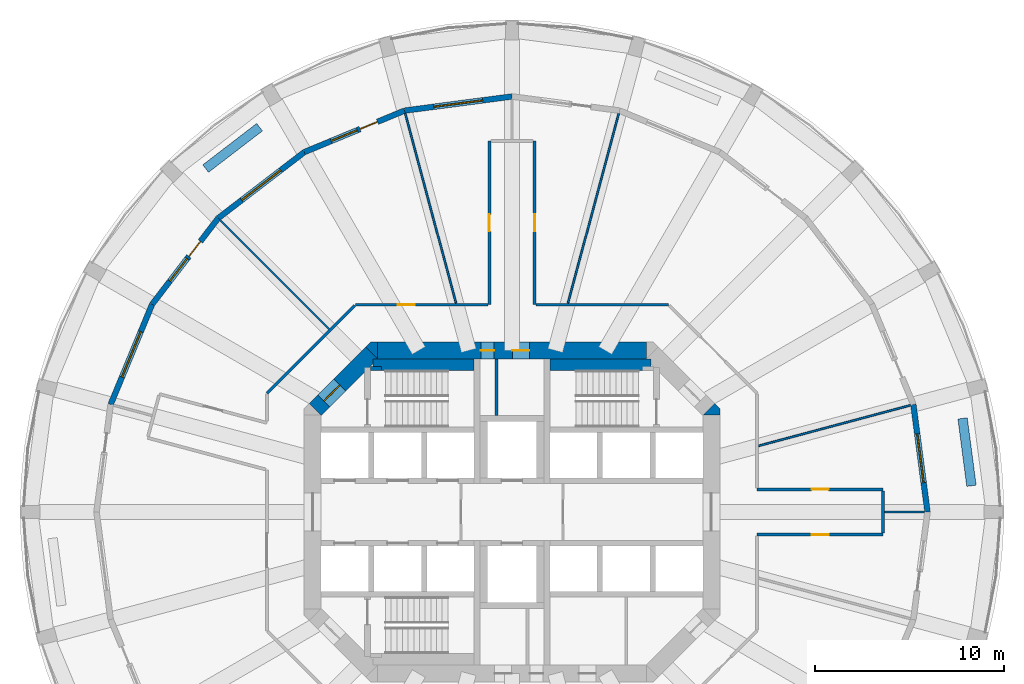
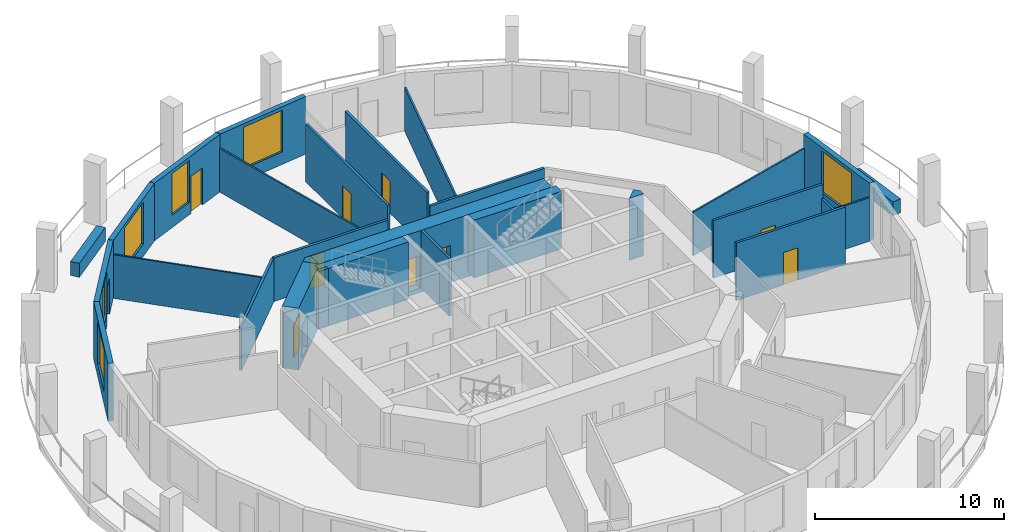
# One storey, part 5 of 8: 29 walls, 10 doors, 6 windows, 16 openings.
"""IFC4 building model written with IfcOpenShell, lengths in metres."""

import ifcopenshell
import ifcopenshell.guid

model = None  # the IFC model being written
_history = None  # IfcOwnerHistory: only IFC2X3 demands one
_inside = {}  # id of a spatial element -> (the spatial element, [elements in it])
_under = {}  # id of a project, library or spatial element -> (it, [spatial elements below it])
_declared = {}  # id of a project -> (the project, [libraries it declares])
_typed = {}  # id of a type object -> (the type object, [elements of that type])
_made_of = {}  # id of a material, layer set ... -> (it, [elements and type objects made of it])


def new_model(schema):
    """Start an empty IFC model of exactly this schema.

    Asked for "IFC4X3", IfcOpenShell would pick the latest addendum, in which some entities
    have other attributes; the version numbers below select the first issue.
    IFC2X3 requires an IfcOwnerHistory on every rooted entity: one is made here for all.
    """
    global model, _history
    if schema == "IFC4X3":
        model = ifcopenshell.file(schema_version=(4, 3, 0, 0))
    else:
        model = ifcopenshell.file(schema=schema)
    _inside.clear()
    _under.clear()
    _declared.clear()
    _typed.clear()
    _made_of.clear()
    _history = None
    if model.schema == "IFC2X3":
        org = make("IfcOrganization", Name="unknown")
        user = make(
            "IfcPersonAndOrganization",
            ThePerson=make("IfcPerson", FamilyName="unknown"),
            TheOrganization=org,
        )
        app = make(
            "IfcApplication",
            ApplicationDeveloper=org,
            Version="unknown",
            ApplicationFullName="unknown",
            ApplicationIdentifier="unknown",
        )
        _history = make(
            "IfcOwnerHistory",
            OwningUser=user,
            OwningApplication=app,
            ChangeAction="ADDED",
            CreationDate=0,
        )
    return model


def make(cls, **values):
    """One entity of the class cls with the attributes given. An attribute that is None is left unset."""
    return model.create_entity(
        cls, **{name: value for name, value in values.items() if value is not None}
    )


def rooted(cls, **values):
    """An entity with a GlobalId (a new one), such as an element, a storey or a relation."""
    return make(cls, GlobalId=ifcopenshell.guid.new(), OwnerHistory=_history, **values)


def si_unit(unit_type, name, prefix=None):
    """IfcSIUnit, for example si_unit("LENGTHUNIT", "METRE", prefix="MILLI")."""
    return make("IfcSIUnit", UnitType=unit_type, Prefix=prefix, Name=name)


def assignment(units):
    """IfcUnitAssignment: the units of a project."""
    return None if units is None else make("IfcUnitAssignment", Units=units)


def point(xyz):
    """IfcCartesianPoint."""
    return None if xyz is None else make("IfcCartesianPoint", Coordinates=xyz)


def direction(xyz):
    """IfcDirection."""
    return None if xyz is None else make("IfcDirection", DirectionRatios=xyz)


def frame(location, z_axis=None, x_axis=None):
    """IfcAxis2Placement3D, a coordinate frame: its origin and axes. An axis left out is left unset."""
    return make(
        "IfcAxis2Placement3D",
        Location=point(location),
        Axis=direction(z_axis),
        RefDirection=direction(x_axis),
    )


def frame_2d(location, x_axis=None):
    """IfcAxis2Placement2D, a coordinate frame in the plane: its origin and x axis."""
    return make(
        "IfcAxis2Placement2D", Location=point(location), RefDirection=direction(x_axis)
    )


def origin():
    """The frame at (0, 0, 0) with its axes left unset."""
    return frame((0.0, 0.0, 0.0))


def place(relative_to, where):
    """IfcLocalPlacement: puts the frame where relative to a parent placement (None: the world)."""
    return make(
        "IfcLocalPlacement", PlacementRelTo=relative_to, RelativePlacement=where
    )


def context(
    kind, dimensions, precision=None, world=None, true_north=None, identifier=None
):
    """IfcGeometricRepresentationContext, for example the 3D "Model" context."""
    return make(
        "IfcGeometricRepresentationContext",
        ContextIdentifier=identifier,
        ContextType=kind,
        CoordinateSpaceDimension=dimensions,
        Precision=precision,
        WorldCoordinateSystem=world,
        TrueNorth=true_north,
    )


def subcontext(parent, identifier, kind, view, scale=None):
    """IfcGeometricRepresentationSubContext, for example "Body" below "Model"."""
    return make(
        "IfcGeometricRepresentationSubContext",
        ContextIdentifier=identifier,
        ContextType=kind,
        ParentContext=parent,
        TargetScale=scale,
        TargetView=view,
    )


def project(units=None, contexts=None):
    """IfcProject with its units and contexts."""
    return rooted(
        "IfcProject",
        Name="project",
        RepresentationContexts=contexts,
        UnitsInContext=assignment(units),
    )


def spatial(cls, under=None, at=None, **own):
    """A site, building, storey or space (cls), placed at a placement, below another one or the project."""
    s = rooted(cls, ObjectPlacement=at, **own)
    if under is not None:
        _under.setdefault(under.id(), (under, []))[1].append(s)
    return s


def polyline(points):
    """IfcPolyline through the points."""
    return make("IfcPolyline", Points=[point(p) for p in points])


def profile(cls, at=None, kind="AREA", **sizes):
    """A parametric profile (cls). Its sizes go by their IFC names, for example OverallWidth=200.0."""
    return make(cls, ProfileType=kind, Position=at, **sizes)


def rectangle(**sizes):
    """IfcRectangleProfileDef."""
    return profile("IfcRectangleProfileDef", **sizes)


def outline(outer, holes=None, kind="AREA"):
    """IfcArbitraryClosedProfileDef: a profile drawn as a closed curve; with holes, ...WithVoids."""
    if holes is None:
        return make("IfcArbitraryClosedProfileDef", ProfileType=kind, OuterCurve=outer)
    return make(
        "IfcArbitraryProfileDefWithVoids",
        ProfileType=kind,
        OuterCurve=outer,
        InnerCurves=holes,
    )


def extrude(swept, where, along, depth):
    """IfcExtrudedAreaSolid: the profile swept, set in the frame where, extruded along a direction by depth."""
    return make(
        "IfcExtrudedAreaSolid",
        SweptArea=swept,
        Position=where,
        ExtrudedDirection=direction(along),
        Depth=depth,
    )


def shape(context_of_items, identifier, shape_type, items):
    """IfcShapeRepresentation: the items that make up one representation, for example the "Body"."""
    return make(
        "IfcShapeRepresentation",
        ContextOfItems=context_of_items,
        RepresentationIdentifier=identifier,
        RepresentationType=shape_type,
        Items=items,
    )


def material(Name=None, Category=None):
    """IfcMaterial."""
    return make("IfcMaterial", Name=Name, Category=Category)


def layer(
    of_material, thickness, ventilated=None, Name=None, Category=None, Priority=None
):
    """IfcMaterialLayer: one layer of a wall or slab, of a material (None: an air gap)."""
    return make(
        "IfcMaterialLayer",
        Material=of_material,
        LayerThickness=thickness,
        IsVentilated=ventilated,
        Name=Name,
        Category=Category,
        Priority=Priority,
    )


def layer_set(layers, Name=None):
    """IfcMaterialLayerSet."""
    return make("IfcMaterialLayerSet", MaterialLayers=layers, LayerSetName=Name)


def made_of(thing, what):
    """Note that an element or type object is made of a material, layer set ...; save() writes the relation."""
    if what is not None:
        _made_of.setdefault(what.id(), (what, []))[1].append(thing)
    return thing


def type_object(cls, material=None, **own):
    """A type object (cls), such as IfcWallType, which elements share."""
    return made_of(rooted(cls, **own), material)


def element(
    cls,
    number,
    at=None,
    inside=None,
    cuts=None,
    type_object=None,
    material=None,
    context=None,
    identifier="Body",
    shape_type=None,
    held_by="IfcProductDefinitionShape",
    body=None,
    shapes=None,
    **own,
):
    """One element of the class cls, such as IfcWall. Its Tag is "e" and its number.

    at: its placement. inside: the storey or other place that contains it. cuts: it is an
    opening in that element (IfcRelVoidsElement). A single representation is given by context,
    identifier, shape_type and body (its items); several are given by shapes. held_by: the class
    of the entity that holds the representations. save() writes the other relations.
    """
    e = rooted(cls, Tag="e%d" % number, ObjectPlacement=at, **own)
    if body is not None:
        shapes = [shape(context, identifier, shape_type, body)]
    if shapes is not None:
        e.Representation = make(held_by, Representations=shapes)
    if inside is not None:
        _inside.setdefault(inside.id(), (inside, []))[1].append(e)
    if cuts is not None:
        rooted(
            "IfcRelVoidsElement", RelatingBuildingElement=cuts, RelatedOpeningElement=e
        )
    if type_object is not None:
        _typed.setdefault(type_object.id(), (type_object, []))[1].append(e)
    return made_of(e, material)


def fill(opening, filler):
    """IfcRelFillsElement: the door or window that sits in an opening."""
    return rooted(
        "IfcRelFillsElement",
        RelatingOpeningElement=opening,
        RelatedBuildingElement=filler,
    )


def aggregate(whole, parts):
    """IfcRelAggregates: a whole, such as a stair, and the parts it consists of."""
    return rooted("IfcRelAggregates", RelatingObject=whole, RelatedObjects=parts)


def save(model, path):
    """Write the relations noted so far, then the file.

    IfcRelAggregates (storeys below a building ...), IfcRelContainedInSpatialStructure (elements
    in a storey), IfcRelDefinesByType, IfcRelAssociatesMaterial and IfcRelDeclares: one each for
    every whole, place, type object, material and project.
    """
    for whole, parts in _under.values():
        aggregate(whole, parts)
    for where, things in _inside.values():
        rooted(
            "IfcRelContainedInSpatialStructure",
            RelatedElements=things,
            RelatingStructure=where,
        )
    for kind, things in _typed.values():
        rooted("IfcRelDefinesByType", RelatedObjects=things, RelatingType=kind)
    for what, things in _made_of.values():
        rooted("IfcRelAssociatesMaterial", RelatedObjects=things, RelatingMaterial=what)
    for by, libraries in _declared.values():
        rooted("IfcRelDeclares", RelatingContext=by, RelatedDefinitions=libraries)
    model.write(path)


model = new_model("IFC4")

# Units and contexts
model_context = context("Model", 3, precision=1e-05, world=origin(), true_north=direction((0.0, 1.0)))
body_context = subcontext(model_context, "Body", "Model", "MODEL_VIEW")
ifc_project = project(units=[si_unit("LENGTHUNIT", "METRE"), si_unit("AREAUNIT", "SQUARE_METRE"), si_unit("VOLUMEUNIT", "CUBIC_METRE"), si_unit("PLANEANGLEUNIT", "RADIAN"), si_unit("MASSUNIT", "GRAM", prefix="KILO")], contexts=[model_context])

# Site, building, storey
site_placement = place(None, origin())
site = spatial("IfcSite", under=ifc_project, at=site_placement, CompositionType="ELEMENT")
building_placement = place(site_placement, origin())
building = spatial("IfcBuilding", under=site, at=building_placement, Name="Torre Triforio", CompositionType="ELEMENT")
storey_placement = place(building_placement, frame((0.0, 0.0, 86.60009765625)))
storey = spatial("IfcBuildingStorey", under=building, at=storey_placement, Name="L18", CompositionType="ELEMENT", Elevation=86.60009765625)

# Wall, openings, doors
ifc_material_1 = material(Name="Concrete C60", Category="concrete")
ifc_layer_1 = layer(ifc_material_1, 0.89990234375)
ifc_layer_set_1 = layer_set([ifc_layer_1], Name="Concrete C60")
wall_type_1 = type_object("IfcWallType", Name="Core wall 900 mm C60 EI 120", PredefinedType="SHEAR", material=ifc_layer_set_1)
wall_1_placement = place(storey_placement, frame((-7.1298828125, 8.550048828125, -0.280029296875), z_axis=(0.0, 0.0, 1.0), x_axis=(1.0, 0.0, 0.0)))
wall_1 = element("IfcWall", 1, at=wall_1_placement, inside=storey, type_object=wall_type_1, Name="Core wall", PredefinedType="SHEAR", context=body_context, shape_type="SweptSolid", body=[
    extrude(rectangle(XDim=14.259765625, YDim=0.89990234375, at=frame_2d((7.1298828125, 0.0))), origin(), (0.0, 0.0, 1.0), 4.0),
])
opening_1_placement = place(wall_1_placement, frame((5.47998046875, 0.0, 0.280029296875)))
opening_1 = element("IfcOpeningElement", 2, at=opening_1_placement, cuts=wall_1, Name="Opening RISER-N", PredefinedType="OPENING", context=body_context, shape_type="SweptSolid", body=[
    extrude(rectangle(XDim=0.699951171875, YDim=2.10009765625, at=frame_2d((0.35009765625, 1.050048828125))), frame((0.0, 0.4599609375, 0.0), z_axis=(0.0, -1.0, 0.0), x_axis=(1.0, 0.0, 0.0)), (0.0, 0.0, 1.0), 0.919921875),
])
opening_2_placement = place(wall_1_placement, frame((7.155029296875, 0.0, 0.280029296875)))
opening_2 = element("IfcOpeningElement", 3, at=opening_2_placement, cuts=wall_1, Name="Opening NE-01", PredefinedType="OPENING", context=body_context, shape_type="SweptSolid", body=[
    extrude(rectangle(XDim=0.89990234375, YDim=2.10009765625, at=frame_2d((0.449951171875, 1.050048828125))), frame((0.0, 0.4599609375, 0.0), z_axis=(0.0, -1.0, 0.0), x_axis=(1.0, 0.0, 0.0)), (0.0, 0.0, 1.0), 0.919921875),
])
ifc_material_2 = material(Name="Hollow metal fire door leaf")
door_type_1 = type_object("IfcDoorType", Name="Riser door 700 x 2100 EI 60", OperationType="NOTDEFINED", PredefinedType="DOOR", material=ifc_material_2)
door_1_placement = place(opening_1_placement, origin())
door_1 = element("IfcDoor", 4, at=door_1_placement, inside=storey, type_object=door_type_1, Name="Core door RISER-N", OperationType="SINGLE_SWING_LEFT", OverallHeight=2.10009765625, OverallWidth=0.699951171875, PredefinedType="DOOR", context=body_context, shape_type="SweptSolid", body=[
    extrude(rectangle(XDim=0.699951171875, YDim=2.10009765625, at=frame_2d((0.35009765625, 1.050048828125))), frame((0.0, 0.02490234375, 0.0), z_axis=(0.0, -1.0, 0.0), x_axis=(1.0, 0.0, 0.0)), (0.0, 0.0, 1.0), 0.050048828125),
])
fill(opening_1, door_1)
door_type_2 = type_object("IfcDoorType", Name="Room door 900 x 2100 EI 60", OperationType="NOTDEFINED", PredefinedType="DOOR", material=ifc_material_2)
door_2_placement = place(opening_2_placement, origin())
door_2 = element("IfcDoor", 5, at=door_2_placement, inside=storey, type_object=door_type_2, Name="Core door NE-01", OperationType="SINGLE_SWING_RIGHT", OverallHeight=2.10009765625, OverallWidth=0.89990234375, PredefinedType="DOOR", context=body_context, shape_type="SweptSolid", body=[
    extrude(rectangle(XDim=0.89990234375, YDim=2.10009765625, at=frame_2d((0.449951171875, 1.050048828125))), frame((0.0, 0.02490234375, 0.0), z_axis=(0.0, -1.0, 0.0), x_axis=(1.0, 0.0, 0.0)), (0.0, 0.0, 1.0), 0.050048828125),
])
fill(opening_2, door_2)

# Wall, opening, door
wall_2_placement = place(storey_placement, frame((-10.418212890625, 5.418212890625, -0.280029296875), z_axis=(0.0, 0.0, 1.0), x_axis=(0.707106781187, 0.707106781187, 0.0)))
wall_2 = element("IfcWall", 6, at=wall_2_placement, inside=storey, type_object=wall_type_1, Name="Core wall", PredefinedType="SHEAR", context=body_context, shape_type="SweptSolid", body=[
    extrude(rectangle(XDim=4.24267578125, YDim=0.89990234375, at=frame_2d((2.121337890625, 0.0))), origin(), (0.0, 0.0, 1.0), 4.0),
])
opening_3_placement = place(wall_2_placement, frame((0.64990234375, 0.0, 0.280029296875)))
opening_3 = element("IfcOpeningElement", 7, at=opening_3_placement, cuts=wall_2, Name="Opening ST1-EXIT", PredefinedType="OPENING", context=body_context, shape_type="SweptSolid", body=[
    extrude(rectangle(XDim=1.199951171875, YDim=2.10009765625, at=frame_2d((0.60009765625, 1.050048828125))), frame((0.0, 0.4599609375, 0.0), z_axis=(0.0, -1.0, 0.0), x_axis=(1.0, 0.0, 0.0)), (0.0, 0.0, 1.0), 0.919921875),
])
door_type_3 = type_object("IfcDoorType", Name="Stair lobby door 1200 x 2100 EI 60", OperationType="NOTDEFINED", PredefinedType="DOOR", material=ifc_material_2)
door_3_placement = place(opening_3_placement, origin())
door_3 = element("IfcDoor", 8, at=door_3_placement, inside=storey, type_object=door_type_3, Name="Core door ST1-EXIT", OperationType="SINGLE_SWING_RIGHT", OverallHeight=2.10009765625, OverallWidth=1.199951171875, PredefinedType="DOOR", context=body_context, shape_type="SweptSolid", body=[
    extrude(rectangle(XDim=1.199951171875, YDim=2.10009765625, at=frame_2d((0.60009765625, 1.050048828125))), frame((0.0, 0.02490234375, 0.0), z_axis=(0.0, -1.0, 0.0), x_axis=(1.0, 0.0, 0.0)), (0.0, 0.0, 1.0), 0.050048828125),
])
fill(opening_3, door_3)

# Walls
wall_3_placement = place(storey_placement, frame((0.0, 0.0, -0.280029296875)))
element("IfcWall", 9, at=wall_3_placement, inside=storey, type_object=wall_type_1, Name="Core wall", PredefinedType="SHEAR", context=body_context, shape_type="SweptSolid", body=[
    extrude(outline(polyline([(11.0, 5.472900390625), (11.0, 5.1298828125), (10.1298828125, 5.1298828125), (10.736328125, 5.736328125), (11.0, 5.472900390625)])), origin(), (0.0, 0.0, 1.0), 4.0),
])
wall_4_placement = place(storey_placement, frame((0.0, 0.0, -0.280029296875)))
element("IfcWall", 10, at=wall_4_placement, inside=storey, type_object=wall_type_1, Name="Core wall", PredefinedType="SHEAR", context=body_context, shape_type="SweptSolid", body=[
    extrude(outline(polyline([(-7.472900390625, 9.0), (-7.1298828125, 9.0), (-7.1298828125, 8.1298828125), (-7.736328125, 8.736328125), (-7.472900390625, 9.0)])), origin(), (0.0, 0.0, 1.0), 4.0),
])

# Wall, opening, door
ifc_material_3 = material(Name="Plasterboard on metal studs")
ifc_layer_2 = layer(ifc_material_3, 0.14990234375)
ifc_layer_set_2 = layer_set([ifc_layer_2], Name="Plasterboard on metal studs")
wall_type_2 = type_object("IfcWallType", Name="Corridor and tenancy wall 150 mm EI 60", PredefinedType="PARTITIONING", material=ifc_layer_set_2)
wall_5_placement = place(storey_placement, frame((19.648681640625, -1.199951171875, 0.0), z_axis=(0.0, 0.0, 1.0), x_axis=(-1.0, 0.0, 0.0)))
wall_5 = element("IfcWall", 11, at=wall_5_placement, inside=storey, type_object=wall_type_2, Name="Partition 1", PredefinedType="PARTITIONING", context=body_context, shape_type="SweptSolid", body=[
    extrude(rectangle(XDim=6.673583984375, YDim=0.14990234375, at=frame_2d((3.3369140625, 0.0))), origin(), (0.0, 0.0, 1.0), 3.719970703125),
])
opening_4_placement = place(wall_5_placement, frame((2.886962890625, 0.0, 0.0)))
opening_4 = element("IfcOpeningElement", 12, at=opening_4_placement, cuts=wall_5, Name="Opening N6-11", PredefinedType="OPENING", context=body_context, shape_type="SweptSolid", body=[
    extrude(rectangle(XDim=0.89990234375, YDim=2.10009765625, at=frame_2d((0.449951171875, 1.050048828125))), frame((0.0, 0.0849609375, 0.0), z_axis=(0.0, -1.0, 0.0), x_axis=(1.0, 0.0, 0.0)), (0.0, 0.0, 1.0), 0.169921875),
])
ifc_material_4 = material(Name="Timber", Category="wood")
door_type_4 = type_object("IfcDoorType", Name="Door 900 x 2100 single leaf EI 30", OperationType="NOTDEFINED", PredefinedType="DOOR", material=ifc_material_4)
door_4_placement = place(opening_4_placement, origin())
door_4 = element("IfcDoor", 13, at=door_4_placement, inside=storey, type_object=door_type_4, Name="Door N6-11", OperationType="SINGLE_SWING_RIGHT", OverallHeight=2.10009765625, OverallWidth=0.89990234375, PredefinedType="DOOR", context=body_context, shape_type="SweptSolid", body=[
    extrude(rectangle(XDim=0.89990234375, YDim=2.10009765625, at=frame_2d((0.449951171875, 1.050048828125))), frame((0.0, 0.02490234375, 0.0), z_axis=(0.0, -1.0, 0.0), x_axis=(1.0, 0.0, 0.0)), (0.0, 0.0, 1.0), 0.050048828125),
])
fill(opening_4, door_4)

# Wall
wall_6_placement = place(storey_placement, frame((-12.97509765625, 6.291015625, 0.0), z_axis=(0.0, 0.0, 1.0), x_axis=(0.707125355289, 0.707088206597, 0.0)))
element("IfcWall", 14, at=wall_6_placement, inside=storey, type_object=wall_type_2, Name="Partition 19", PredefinedType="PARTITIONING", context=body_context, shape_type="SweptSolid", body=[
    extrude(rectangle(XDim=6.572021484375, YDim=0.14990234375, at=frame_2d((3.2861328125, 0.0))), origin(), (0.0, 0.0, 1.0), 2.81982421875),
])

# Wall, opening, door
wall_7_placement = place(storey_placement, frame((-8.291015625, 10.97509765625, 0.0), z_axis=(0.0, 0.0, 1.0), x_axis=(1.0, 0.0, 0.0)))
wall_7 = element("IfcWall", 15, at=wall_7_placement, inside=storey, type_object=wall_type_2, Name="Partition 20", PredefinedType="PARTITIONING", context=body_context, shape_type="SweptSolid", body=[
    extrude(rectangle(XDim=7.01611328125, YDim=0.14990234375, at=frame_2d((3.508056640625, 0.0))), origin(), (0.0, 0.0, 1.0), 2.81982421875),
])
opening_5_placement = place(wall_7_placement, frame((2.25, 0.0, 0.0)))
opening_5 = element("IfcOpeningElement", 16, at=opening_5_placement, cuts=wall_7, Name="Opening N6-04", PredefinedType="OPENING", context=body_context, shape_type="SweptSolid", body=[
    extrude(rectangle(XDim=0.89990234375, YDim=2.10009765625, at=frame_2d((0.449951171875, 1.050048828125))), frame((0.0, 0.0849609375, 0.0), z_axis=(0.0, -1.0, 0.0), x_axis=(1.0, 0.0, 0.0)), (0.0, 0.0, 1.0), 0.169921875),
])
door_5_placement = place(opening_5_placement, origin())
door_5 = element("IfcDoor", 17, at=door_5_placement, inside=storey, type_object=door_type_4, Name="Door N6-04", OperationType="SINGLE_SWING_RIGHT", OverallHeight=2.10009765625, OverallWidth=0.89990234375, PredefinedType="DOOR", context=body_context, shape_type="SweptSolid", body=[
    extrude(rectangle(XDim=0.89990234375, YDim=2.10009765625, at=frame_2d((0.449951171875, 1.050048828125))), frame((0.0, 0.02490234375, 0.0), z_axis=(0.0, -1.0, 0.0), x_axis=(1.0, 0.0, 0.0)), (0.0, 0.0, 1.0), 0.050048828125),
])
fill(opening_5, door_5)

wall_8_placement = place(storey_placement, frame((-1.199951171875, 10.97509765625, 0.0), z_axis=(0.0, 0.0, 1.0), x_axis=(0.0, 1.0, 0.0)))
wall_8 = element("IfcWall", 18, at=wall_8_placement, inside=storey, type_object=wall_type_2, Name="Partition 21", PredefinedType="PARTITIONING", context=body_context, shape_type="SweptSolid", body=[
    extrude(rectangle(XDim=8.673583984375, YDim=0.14990234375, at=frame_2d((4.3369140625, 0.0))), origin(), (0.0, 0.0, 1.0), 3.719970703125),
])
opening_6_placement = place(wall_8_placement, frame((3.886962890625, 0.0, 0.0)))
opening_6 = element("IfcOpeningElement", 19, at=opening_6_placement, cuts=wall_8, Name="Opening N6-03", PredefinedType="OPENING", context=body_context, shape_type="SweptSolid", body=[
    extrude(rectangle(XDim=0.89990234375, YDim=2.10009765625, at=frame_2d((0.449951171875, 1.050048828125))), frame((0.0, 0.0849609375, 0.0), z_axis=(0.0, -1.0, 0.0), x_axis=(1.0, 0.0, 0.0)), (0.0, 0.0, 1.0), 0.169921875),
])
door_6_placement = place(opening_6_placement, origin())
door_6 = element("IfcDoor", 20, at=door_6_placement, inside=storey, type_object=door_type_4, Name="Door N6-03", OperationType="SINGLE_SWING_RIGHT", OverallHeight=2.10009765625, OverallWidth=0.89990234375, PredefinedType="DOOR", context=body_context, shape_type="SweptSolid", body=[
    extrude(rectangle(XDim=0.89990234375, YDim=2.10009765625, at=frame_2d((0.449951171875, 1.050048828125))), frame((0.0, 0.02490234375, 0.0), z_axis=(0.0, -1.0, 0.0), x_axis=(1.0, 0.0, 0.0)), (0.0, 0.0, 1.0), 0.050048828125),
])
fill(opening_6, door_6)

wall_9_placement = place(storey_placement, frame((1.199951171875, 19.648681640625, 0.0), z_axis=(0.0, 0.0, 1.0), x_axis=(0.0, -1.0, 0.0)))
wall_9 = element("IfcWall", 21, at=wall_9_placement, inside=storey, type_object=wall_type_2, Name="Partition 23", PredefinedType="PARTITIONING", context=body_context, shape_type="SweptSolid", body=[
    extrude(rectangle(XDim=8.673583984375, YDim=0.14990234375, at=frame_2d((4.3369140625, 0.0))), origin(), (0.0, 0.0, 1.0), 3.719970703125),
])
opening_7_placement = place(wall_9_placement, frame((3.886962890625, 0.0, 0.0)))
opening_7 = element("IfcOpeningElement", 22, at=opening_7_placement, cuts=wall_9, Name="Opening N6-02", PredefinedType="OPENING", context=body_context, shape_type="SweptSolid", body=[
    extrude(rectangle(XDim=0.89990234375, YDim=2.10009765625, at=frame_2d((0.449951171875, 1.050048828125))), frame((0.0, 0.0849609375, 0.0), z_axis=(0.0, -1.0, 0.0), x_axis=(1.0, 0.0, 0.0)), (0.0, 0.0, 1.0), 0.169921875),
])
door_7_placement = place(opening_7_placement, origin())
door_7 = element("IfcDoor", 23, at=door_7_placement, inside=storey, type_object=door_type_4, Name="Door N6-02", OperationType="SINGLE_SWING_RIGHT", OverallHeight=2.10009765625, OverallWidth=0.89990234375, PredefinedType="DOOR", context=body_context, shape_type="SweptSolid", body=[
    extrude(rectangle(XDim=0.89990234375, YDim=2.10009765625, at=frame_2d((0.449951171875, 1.050048828125))), frame((0.0, 0.02490234375, 0.0), z_axis=(0.0, -1.0, 0.0), x_axis=(1.0, 0.0, 0.0)), (0.0, 0.0, 1.0), 0.050048828125),
])
fill(opening_7, door_7)

# Wall
wall_10_placement = place(storey_placement, frame((1.27490234375, 10.97509765625, 0.0), z_axis=(0.0, 0.0, 1.0), x_axis=(1.0, 0.0, 0.0)))
element("IfcWall", 24, at=wall_10_placement, inside=storey, type_object=wall_type_2, Name="Partition 24", PredefinedType="PARTITIONING", context=body_context, shape_type="SweptSolid", body=[
    extrude(rectangle(XDim=7.01611328125, YDim=0.14990234375, at=frame_2d((3.508056640625, 0.0))), origin(), (0.0, 0.0, 1.0), 2.81982421875),
])

# Wall, opening, door
wall_11_placement = place(storey_placement, frame((12.97509765625, 1.199951171875, 0.0), z_axis=(0.0, 0.0, 1.0), x_axis=(1.0, 0.0, 0.0)))
wall_11 = element("IfcWall", 25, at=wall_11_placement, inside=storey, type_object=wall_type_2, Name="Partition 27", PredefinedType="PARTITIONING", context=body_context, shape_type="SweptSolid", body=[
    extrude(rectangle(XDim=6.673583984375, YDim=0.14990234375, at=frame_2d((3.3369140625, 0.0))), origin(), (0.0, 0.0, 1.0), 3.719970703125),
])
opening_8_placement = place(wall_11_placement, frame((2.886962890625, 0.0, 0.0)))
opening_8 = element("IfcOpeningElement", 26, at=opening_8_placement, cuts=wall_11, Name="Opening N6-12", PredefinedType="OPENING", context=body_context, shape_type="SweptSolid", body=[
    extrude(rectangle(XDim=0.89990234375, YDim=2.10009765625, at=frame_2d((0.449951171875, 1.050048828125))), frame((0.0, 0.0849609375, 0.0), z_axis=(0.0, -1.0, 0.0), x_axis=(1.0, 0.0, 0.0)), (0.0, 0.0, 1.0), 0.169921875),
])
door_8_placement = place(opening_8_placement, origin())
door_8 = element("IfcDoor", 27, at=door_8_placement, inside=storey, type_object=door_type_4, Name="Door N6-12", OperationType="SINGLE_SWING_RIGHT", OverallHeight=2.10009765625, OverallWidth=0.89990234375, PredefinedType="DOOR", context=body_context, shape_type="SweptSolid", body=[
    extrude(rectangle(XDim=0.89990234375, YDim=2.10009765625, at=frame_2d((0.449951171875, 1.050048828125))), frame((0.0, 0.02490234375, 0.0), z_axis=(0.0, -1.0, 0.0), x_axis=(1.0, 0.0, 0.0)), (0.0, 0.0, 1.0), 0.050048828125),
])
fill(opening_8, door_8)

# Walls
wall_12_placement = place(storey_placement, frame((19.648681640625, 1.125, 0.0), z_axis=(0.0, 0.0, 1.0), x_axis=(0.0, -1.0, 0.0)))
element("IfcWall", 28, at=wall_12_placement, inside=storey, type_object=wall_type_2, Name="Partition 28", PredefinedType="PARTITIONING", context=body_context, shape_type="SweptSolid", body=[
    extrude(rectangle(XDim=2.25, YDim=0.14990234375, at=frame_2d((1.125, 0.0))), origin(), (0.0, 0.0, 1.0), 2.81982421875),
])
ifc_layer_3 = layer(ifc_material_3, 0.10009765625)
ifc_layer_set_3 = layer_set([ifc_layer_3], Name="Plasterboard on metal studs")
wall_type_3 = type_object("IfcWallType", Name="Partition 100 mm board on metal studs", PredefinedType="PARTITIONING", material=ifc_layer_set_3)
wall_13_placement = place(storey_placement, frame((19.7236328125, 0.0, 0.0), z_axis=(0.0, 0.0, 1.0), x_axis=(1.0, 0.0, 0.0)))
element("IfcWall", 29, at=wall_13_placement, inside=storey, type_object=wall_type_3, Name="Partition 29", PredefinedType="PARTITIONING", context=body_context, shape_type="SweptSolid", body=[
    extrude(rectangle(XDim=2.113037109375, YDim=0.10009765625, at=frame_2d((1.056640625, 0.0))), origin(), (0.0, 0.0, 1.0), 2.81982421875),
])
wall_14_placement = place(storey_placement, frame((13.064208984375, 3.50048828125, 0.0), z_axis=(0.0, 0.0, 1.0), x_axis=(0.965920254223, 0.258839839442, 0.0)))
element("IfcWall", 30, at=wall_14_placement, inside=storey, type_object=wall_type_3, Name="Partition 30", PredefinedType="PARTITIONING", context=body_context, shape_type="SweptSolid", body=[
    extrude(rectangle(XDim=8.3115234375, YDim=0.10009765625, at=frame_2d((4.15576171875, 0.0))), origin(), (0.0, 0.0, 1.0), 2.81982421875),
])
for number, where, z_axis, x_axis, name in (
    (31, (2.964599609375, 11.064208984375, 0.0), (0.0, 0.0, 1.0), (0.258834819477, 0.96592159942, 0.0), "Partition 31"),
    (32, (-2.964599609375, 11.064208984375, 0.0), (0.0, 0.0, 1.0), (-0.258834819477, 0.96592159942, 0.0), "Partition 33"),
):
    element("IfcWall", number, at=place(storey_placement, frame(where, z_axis=z_axis, x_axis=x_axis)), inside=storey, type_object=wall_type_3, Name=name, PredefinedType="PARTITIONING", context=body_context, shape_type="SweptSolid", body=[
        extrude(rectangle(XDim=10.382080078125, YDim=0.10009765625, at=frame_2d((5.19091796875, 0.0))), origin(), (0.0, 0.0, 1.0), 2.81982421875),
    ])
wall_15_placement = place(storey_placement, frame((-9.68603515625, 9.68603515625, 0.0), z_axis=(0.0, 0.0, 1.0), x_axis=(-0.707106781187, 0.707106781187, 0.0)))
element("IfcWall", 33, at=wall_15_placement, inside=storey, type_object=wall_type_3, Name="Partition 34", PredefinedType="PARTITIONING", context=body_context, shape_type="SweptSolid", body=[
    extrude(rectangle(XDim=8.138671875, YDim=0.10009765625, at=frame_2d((4.0693359375, 0.0))), origin(), (0.0, 0.0, 1.0), 2.81982421875),
])
ifc_material_5 = material(Name="Block and board partition")
ifc_layer_4 = layer(ifc_material_5, 0.14990234375)
ifc_layer_set_4 = layer_set([ifc_layer_4], Name="Block and board partition")
wall_type_4 = type_object("IfcWallType", Name="Partition 150 mm EI 120", PredefinedType="PARTITIONING", material=ifc_layer_set_4)
wall_16_placement = place(storey_placement, frame((-0.824951171875, 5.10009765625, 0.0), z_axis=(0.0, 0.0, 1.0), x_axis=(0.0, 1.0, 0.0)))
element("IfcWall", 34, at=wall_16_placement, inside=storey, type_object=wall_type_4, Name="Partition", PredefinedType="PARTITIONING", context=body_context, shape_type="SweptSolid", body=[
    extrude(rectangle(XDim=3.0, YDim=0.14990234375, at=frame_2d((1.5, 0.0))), origin(), (0.0, 0.0, 1.0), 3.719970703125),
])
ifc_material_6 = material(Name="Limestone cladding", Category="masonry")
ifc_layer_5 = layer(ifc_material_6, 0.10009765625)
ifc_material_7 = material(Name="Concrete C40", Category="concrete")
ifc_layer_6 = layer(ifc_material_7, 0.39990234375)
ifc_layer_set_5 = layer_set([ifc_layer_5, ifc_layer_6], Name="Limestone cladding / Concrete C40")
wall_type_5 = type_object("IfcWallType", Name="Planter wall 500", PredefinedType="PARAPET", material=ifc_layer_set_5)
for number, where, z_axis, x_axis, name in (
    (35, (24.3271484375, 1.38720703125, 0.0), (0.0, 0.0, 1.0), (-0.130551000099, 0.991441595039, 0.0), "Planter L18 bay 01"),
    (36, (-13.364990234375, 20.374267578125, 0.0), (0.0, 0.0, 1.0), (-0.793326845617, -0.608795955984, 0.0), "Planter L18 bay 09"),
):
    element("IfcWall", number, at=place(storey_placement, frame(where, z_axis=z_axis, x_axis=x_axis)), inside=storey, type_object=wall_type_5, Name=name, PredefinedType="PARAPET", context=body_context, shape_type="SweptSolid", body=[
        extrude(rectangle(XDim=3.599853515625, YDim=0.5, at=frame_2d((1.7998046875, 0.0))), origin(), (0.0, 0.0, 1.0), 0.89990234375),
    ])
ifc_layer_7 = layer(ifc_material_1, 0.199951171875)
ifc_layer_set_6 = layer_set([ifc_layer_7], Name="Concrete C60")
wall_type_6 = type_object("IfcWallType", Name="Stair wall 200 mm C60 EI 120", PredefinedType="SHEAR", material=ifc_layer_set_6)
wall_17_placement = place(storey_placement, frame((-7.5, 7.60009765625, 0.0), z_axis=(0.0, 0.0, 1.0), x_axis=(1.0, 0.0, 0.0)))
element("IfcWall", 37, at=wall_17_placement, inside=storey, type_object=wall_type_6, Name="Stair wall", PredefinedType="SHEAR", context=body_context, shape_type="SweptSolid", body=[
    extrude(rectangle(XDim=0.60009765625, YDim=0.199951171875, at=frame_2d((0.300048828125, 0.0))), origin(), (0.0, 0.0, 1.0), 3.719970703125),
])
ifc_layer_8 = layer(ifc_material_1, 0.60009765625)
ifc_layer_set_7 = layer_set([ifc_layer_8], Name="Concrete C60")
wall_type_7 = type_object("IfcWallType", Name="Stair wall 600 mm C60 EI 120", PredefinedType="SHEAR", material=ifc_layer_set_7)
for number, where, z_axis, x_axis, name in (
    (38, (-7.3701171875, 7.800048828125, 0.0), (0.0, 0.0, 1.0), (1.0, 0.0, 0.0), "Stair wall"),
    (39, (2.0, 7.800048828125, 0.0), (0.0, 0.0, 1.0), (1.0, 0.0, 0.0), "Stair wall"),
):
    element("IfcWall", number, at=place(storey_placement, frame(where, z_axis=z_axis, x_axis=x_axis)), inside=storey, type_object=wall_type_7, Name=name, PredefinedType="SHEAR", context=body_context, shape_type="SweptSolid", body=[
        extrude(rectangle(XDim=5.3701171875, YDim=0.60009765625, at=frame_2d((2.68505859375, 0.0))), origin(), (0.0, 0.0, 1.0), 3.719970703125),
    ])

# Wall, opening, window
ifc_layer_9 = layer(ifc_material_6, 0.10009765625)
ifc_layer_10 = layer(ifc_material_7, 0.199951171875)
ifc_layer_set_8 = layer_set([ifc_layer_9, ifc_layer_10], Name="Limestone cladding / Concrete C40")
wall_type_8 = type_object("IfcWallType", Name="Stone-faced composite wall 300", PredefinedType="STANDARD", material=ifc_layer_set_8)
wall_18_placement = place(storey_placement, frame((22.0, 0.0, 0.0), z_axis=(0.0, 0.0, 1.0), x_axis=(-0.130503995834, 0.991447783331, 0.0)))
wall_18 = element("IfcWall", 40, at=wall_18_placement, inside=storey, type_object=wall_type_8, Name="External wall L18 bay 01", PredefinedType="STANDARD", context=body_context, shape_type="SweptSolid", body=[
    extrude(rectangle(XDim=5.7431640625, YDim=0.300048828125, at=frame_2d((2.87158203125, 0.0))), origin(), (0.0, 0.0, 1.0), 3.719970703125),
])
opening_9_placement = place(wall_18_placement, frame((1.571533203125, 0.0, 0.800048828125)))
opening_9 = element("IfcOpeningElement", 41, at=opening_9_placement, cuts=wall_18, Name="Opening N6-W01", PredefinedType="OPENING", context=body_context, shape_type="SweptSolid", body=[
    extrude(rectangle(XDim=2.60009765625, YDim=2.699951171875, at=frame_2d((1.300048828125, 1.35009765625))), frame((0.0, 0.159912109375, 0.0), z_axis=(0.0, -1.0, 0.0), x_axis=(1.0, 0.0, 0.0)), (0.0, 0.0, 1.0), 0.320068359375),
])
ifc_material_8 = material(Name="Aluminium frame with clear double glazing", Category="aluminium")
window_type_1 = type_object("IfcWindowType", Name="Punched window 2600 x 2700", PartitioningType="DOUBLE_PANEL_VERTICAL", PredefinedType="WINDOW", material=ifc_material_8)
window_1_placement = place(opening_9_placement, origin())
window_1 = element("IfcWindow", 42, at=window_1_placement, inside=storey, type_object=window_type_1, Name="Window EWN2 L18 bay 01", OverallHeight=2.699951171875, OverallWidth=2.60009765625, PartitioningType="SINGLE_PANEL", PredefinedType="WINDOW", context=body_context, shape_type="SweptSolid", body=[
    extrude(rectangle(XDim=2.60009765625, YDim=2.699951171875, at=frame_2d((1.300048828125, 1.35009765625))), frame((0.0, 0.030029296875, 0.0), z_axis=(0.0, -1.0, 0.0), x_axis=(1.0, 0.0, 0.0)), (0.0, 0.0, 1.0), 0.06005859375),
])
fill(opening_9, window_1)

wall_19_placement = place(storey_placement, frame((0.0, 22.0, 0.0), z_axis=(0.0, 0.0, 1.0), x_axis=(-0.991447783331, -0.130503995834, 0.0)))
wall_19 = element("IfcWall", 43, at=wall_19_placement, inside=storey, type_object=wall_type_8, Name="External wall L18 bay 07", PredefinedType="STANDARD", context=body_context, shape_type="SweptSolid", body=[
    extrude(rectangle(XDim=5.7431640625, YDim=0.300048828125, at=frame_2d((2.87158203125, 0.0))), origin(), (0.0, 0.0, 1.0), 3.719970703125),
])
opening_10_placement = place(wall_19_placement, frame((1.571533203125, 0.0, 0.800048828125)))
opening_10 = element("IfcOpeningElement", 44, at=opening_10_placement, cuts=wall_19, Name="Opening N6-W07", PredefinedType="OPENING", context=body_context, shape_type="SweptSolid", body=[
    extrude(rectangle(XDim=2.60009765625, YDim=2.699951171875, at=frame_2d((1.300048828125, 1.35009765625))), frame((0.0, 0.159912109375, 0.0), z_axis=(0.0, -1.0, 0.0), x_axis=(1.0, 0.0, 0.0)), (0.0, 0.0, 1.0), 0.320068359375),
])
window_2_placement = place(opening_10_placement, origin())
window_2 = element("IfcWindow", 45, at=window_2_placement, inside=storey, type_object=window_type_1, Name="Window EWN2 L18 bay 07", OverallHeight=2.699951171875, OverallWidth=2.60009765625, PartitioningType="SINGLE_PANEL", PredefinedType="WINDOW", context=body_context, shape_type="SweptSolid", body=[
    extrude(rectangle(XDim=2.60009765625, YDim=2.699951171875, at=frame_2d((1.300048828125, 1.35009765625))), frame((0.0, 0.030029296875, 0.0), z_axis=(0.0, -1.0, 0.0), x_axis=(1.0, 0.0, 0.0)), (0.0, 0.0, 1.0), 0.06005859375),
])
fill(opening_10, window_2)

# Wall, openings, door, window
wall_20_placement = place(storey_placement, frame((-5.694091796875, 21.25048828125, 0.0), z_axis=(0.0, 0.0, 1.0), x_axis=(-0.923866055759, -0.382715966503, 0.0)))
wall_20 = element("IfcWall", 46, at=wall_20_placement, inside=storey, type_object=wall_type_8, Name="External wall L18 bay 08", PredefinedType="STANDARD", context=body_context, shape_type="SweptSolid", body=[
    extrude(rectangle(XDim=5.7431640625, YDim=0.300048828125, at=frame_2d((2.87158203125, 0.0))), origin(), (0.0, 0.0, 1.0), 3.719970703125),
])
opening_11_placement = place(wall_20_placement, frame((1.546630859375, 0.0, 0.0)))
opening_11 = element("IfcOpeningElement", 47, at=opening_11_placement, cuts=wall_20, Name="Opening N6-D08", PredefinedType="OPENING", context=body_context, shape_type="SweptSolid", body=[
    extrude(rectangle(XDim=1.0, YDim=2.39990234375, at=frame_2d((0.5, 1.199951171875))), frame((0.0, 0.159912109375, 0.0), z_axis=(0.0, -1.0, 0.0), x_axis=(1.0, 0.0, 0.0)), (0.0, 0.0, 1.0), 0.320068359375),
])
opening_12_placement = place(wall_20_placement, frame((2.696533203125, 0.0, 0.800048828125)))
opening_12 = element("IfcOpeningElement", 48, at=opening_12_placement, cuts=wall_20, Name="Opening N6-W08A", PredefinedType="OPENING", context=body_context, shape_type="SweptSolid", body=[
    extrude(rectangle(XDim=1.5, YDim=2.699951171875, at=frame_2d((0.75, 1.35009765625))), frame((0.0, 0.159912109375, 0.0), z_axis=(0.0, -1.0, 0.0), x_axis=(1.0, 0.0, 0.0)), (0.0, 0.0, 1.0), 0.320068359375),
])
door_type_5 = type_object("IfcDoorType", Name="Loggia door 1000 x 2400", OperationType="NOTDEFINED", PredefinedType="DOOR", material=ifc_material_8)
door_9_placement = place(opening_11_placement, origin())
door_9 = element("IfcDoor", 49, at=door_9_placement, inside=storey, type_object=door_type_5, Name="Loggia door L18 bay 08", OperationType="SINGLE_SWING_LEFT", OverallHeight=2.39990234375, OverallWidth=1.0, PredefinedType="DOOR", context=body_context, shape_type="SweptSolid", body=[
    extrude(rectangle(XDim=1.0, YDim=2.39990234375, at=frame_2d((0.5, 1.199951171875))), frame((0.0, 0.02490234375, 0.0), z_axis=(0.0, -1.0, 0.0), x_axis=(1.0, 0.0, 0.0)), (0.0, 0.0, 1.0), 0.050048828125),
])
fill(opening_11, door_9)
window_type_2 = type_object("IfcWindowType", Name="Side window 1500 x 2700", PartitioningType="SINGLE_PANEL", PredefinedType="WINDOW", material=ifc_material_8)
window_3_placement = place(opening_12_placement, origin())
window_3 = element("IfcWindow", 50, at=window_3_placement, inside=storey, type_object=window_type_2, Name="Side window EWN12 L18 bay 08", OverallHeight=2.699951171875, OverallWidth=1.5, PartitioningType="SINGLE_PANEL", PredefinedType="WINDOW", context=body_context, shape_type="SweptSolid", body=[
    extrude(rectangle(XDim=1.5, YDim=2.699951171875, at=frame_2d((0.75, 1.35009765625))), frame((0.0, 0.030029296875, 0.0), z_axis=(0.0, -1.0, 0.0), x_axis=(1.0, 0.0, 0.0)), (0.0, 0.0, 1.0), 0.06005859375),
])
fill(opening_12, window_3)

# Wall, opening, window
wall_21_placement = place(storey_placement, frame((-11.0, 19.052490234375, 0.0), z_axis=(0.0, 0.0, 1.0), x_axis=(-0.793366142647, -0.608744744291, 0.0)))
wall_21 = element("IfcWall", 51, at=wall_21_placement, inside=storey, type_object=wall_type_8, Name="External wall L18 bay 09", PredefinedType="STANDARD", context=body_context, shape_type="SweptSolid", body=[
    extrude(rectangle(XDim=5.7431640625, YDim=0.300048828125, at=frame_2d((2.87158203125, 0.0))), origin(), (0.0, 0.0, 1.0), 3.719970703125),
])
opening_13_placement = place(wall_21_placement, frame((1.571533203125, 0.0, 0.800048828125)))
opening_13 = element("IfcOpeningElement", 52, at=opening_13_placement, cuts=wall_21, Name="Opening N6-W09", PredefinedType="OPENING", context=body_context, shape_type="SweptSolid", body=[
    extrude(rectangle(XDim=2.60009765625, YDim=2.699951171875, at=frame_2d((1.300048828125, 1.35009765625))), frame((0.0, 0.159912109375, 0.0), z_axis=(0.0, -1.0, 0.0), x_axis=(1.0, 0.0, 0.0)), (0.0, 0.0, 1.0), 0.320068359375),
])
window_4_placement = place(opening_13_placement, origin())
window_4 = element("IfcWindow", 53, at=window_4_placement, inside=storey, type_object=window_type_1, Name="Window EWN2 L18 bay 09", OverallHeight=2.699951171875, OverallWidth=2.60009765625, PartitioningType="SINGLE_PANEL", PredefinedType="WINDOW", context=body_context, shape_type="SweptSolid", body=[
    extrude(rectangle(XDim=2.60009765625, YDim=2.699951171875, at=frame_2d((1.300048828125, 1.35009765625))), frame((0.0, 0.030029296875, 0.0), z_axis=(0.0, -1.0, 0.0), x_axis=(1.0, 0.0, 0.0)), (0.0, 0.0, 1.0), 0.06005859375),
])
fill(opening_13, window_4)

# Wall, openings, door, window
wall_22_placement = place(storey_placement, frame((-15.556396484375, 15.556396484375, 0.0), z_axis=(0.0, 0.0, 1.0), x_axis=(-0.608744744291, -0.793366142647, 0.0)))
wall_22 = element("IfcWall", 54, at=wall_22_placement, inside=storey, type_object=wall_type_8, Name="External wall L18 bay 10", PredefinedType="STANDARD", context=body_context, shape_type="SweptSolid", body=[
    extrude(rectangle(XDim=5.7431640625, YDim=0.300048828125, at=frame_2d((2.87158203125, 0.0))), origin(), (0.0, 0.0, 1.0), 3.719970703125),
])
opening_14_placement = place(wall_22_placement, frame((1.546630859375, 0.0, 0.0)))
opening_14 = element("IfcOpeningElement", 55, at=opening_14_placement, cuts=wall_22, Name="Opening N6-D10", PredefinedType="OPENING", context=body_context, shape_type="SweptSolid", body=[
    extrude(rectangle(XDim=1.0, YDim=2.39990234375, at=frame_2d((0.5, 1.199951171875))), frame((0.0, 0.159912109375, 0.0), z_axis=(0.0, -1.0, 0.0), x_axis=(1.0, 0.0, 0.0)), (0.0, 0.0, 1.0), 0.320068359375),
])
opening_15_placement = place(wall_22_placement, frame((2.696533203125, 0.0, 0.800048828125)))
opening_15 = element("IfcOpeningElement", 56, at=opening_15_placement, cuts=wall_22, Name="Opening N6-W10A", PredefinedType="OPENING", context=body_context, shape_type="SweptSolid", body=[
    extrude(rectangle(XDim=1.5, YDim=2.699951171875, at=frame_2d((0.75, 1.35009765625))), frame((0.0, 0.159912109375, 0.0), z_axis=(0.0, -1.0, 0.0), x_axis=(1.0, 0.0, 0.0)), (0.0, 0.0, 1.0), 0.320068359375),
])
door_10_placement = place(opening_14_placement, origin())
door_10 = element("IfcDoor", 57, at=door_10_placement, inside=storey, type_object=door_type_5, Name="Loggia door L18 bay 10", OperationType="SINGLE_SWING_LEFT", OverallHeight=2.39990234375, OverallWidth=1.0, PredefinedType="DOOR", context=body_context, shape_type="SweptSolid", body=[
    extrude(rectangle(XDim=1.0, YDim=2.39990234375, at=frame_2d((0.5, 1.199951171875))), frame((0.0, 0.02490234375, 0.0), z_axis=(0.0, -1.0, 0.0), x_axis=(1.0, 0.0, 0.0)), (0.0, 0.0, 1.0), 0.050048828125),
])
fill(opening_14, door_10)
window_5_placement = place(opening_15_placement, origin())
window_5 = element("IfcWindow", 58, at=window_5_placement, inside=storey, type_object=window_type_2, Name="Side window EWN12 L18 bay 10", OverallHeight=2.699951171875, OverallWidth=1.5, PartitioningType="SINGLE_PANEL", PredefinedType="WINDOW", context=body_context, shape_type="SweptSolid", body=[
    extrude(rectangle(XDim=1.5, YDim=2.699951171875, at=frame_2d((0.75, 1.35009765625))), frame((0.0, 0.030029296875, 0.0), z_axis=(0.0, -1.0, 0.0), x_axis=(1.0, 0.0, 0.0)), (0.0, 0.0, 1.0), 0.06005859375),
])
fill(opening_15, window_5)

# Wall, opening, window
wall_23_placement = place(storey_placement, frame((-19.052490234375, 11.0, 0.0), z_axis=(0.0, 0.0, 1.0), x_axis=(-0.382715966503, -0.923866055759, 0.0)))
wall_23 = element("IfcWall", 59, at=wall_23_placement, inside=storey, type_object=wall_type_8, Name="External wall L18 bay 11", PredefinedType="STANDARD", context=body_context, shape_type="SweptSolid", body=[
    extrude(rectangle(XDim=5.7431640625, YDim=0.300048828125, at=frame_2d((2.87158203125, 0.0))), origin(), (0.0, 0.0, 1.0), 3.719970703125),
])
opening_16_placement = place(wall_23_placement, frame((1.571533203125, 0.0, 0.800048828125)))
opening_16 = element("IfcOpeningElement", 60, at=opening_16_placement, cuts=wall_23, Name="Opening N6-W11", PredefinedType="OPENING", context=body_context, shape_type="SweptSolid", body=[
    extrude(rectangle(XDim=2.60009765625, YDim=2.699951171875, at=frame_2d((1.300048828125, 1.35009765625))), frame((0.0, 0.159912109375, 0.0), z_axis=(0.0, -1.0, 0.0), x_axis=(1.0, 0.0, 0.0)), (0.0, 0.0, 1.0), 0.320068359375),
])
window_6_placement = place(opening_16_placement, origin())
window_6 = element("IfcWindow", 61, at=window_6_placement, inside=storey, type_object=window_type_1, Name="Window EWN2 L18 bay 11", OverallHeight=2.699951171875, OverallWidth=2.60009765625, PartitioningType="SINGLE_PANEL", PredefinedType="WINDOW", context=body_context, shape_type="SweptSolid", body=[
    extrude(rectangle(XDim=2.60009765625, YDim=2.699951171875, at=frame_2d((1.300048828125, 1.35009765625))), frame((0.0, 0.030029296875, 0.0), z_axis=(0.0, -1.0, 0.0), x_axis=(1.0, 0.0, 0.0)), (0.0, 0.0, 1.0), 0.06005859375),
])
fill(opening_16, window_6)

save(model, "model.ifc")
